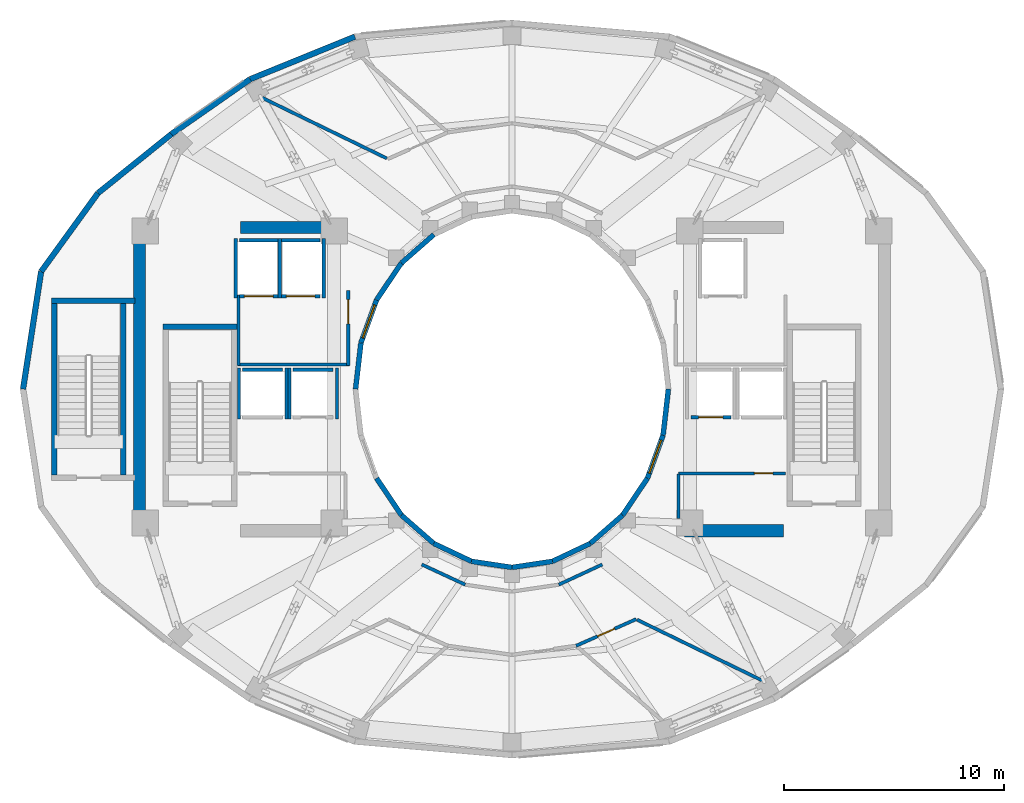
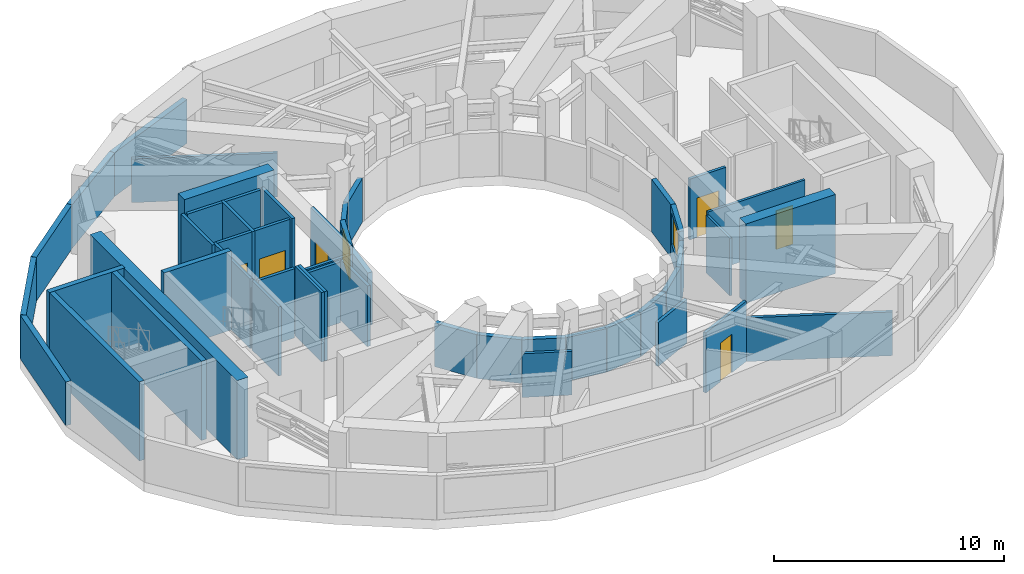
# One storey, part 4 of 10: 50 walls, 6 doors, 2 windows, 8 openings.
"""IFC4 building model written with IfcOpenShell, lengths in metres."""

from ifc_helpers import new_model, si_unit, direction, frame, frame_2d, origin, place, context, subcontext, project, spatial, rectangle, extrude, material, layer, layer_set, type_object, element, fill, save


model = new_model("IFC4")

# Units and contexts
model_context = context("Model", 3, precision=1e-05, world=origin(), true_north=direction((0.0, 1.0)))
body_context = subcontext(model_context, "Body", "Model", "MODEL_VIEW")
ifc_project = project(units=[si_unit("LENGTHUNIT", "METRE"), si_unit("AREAUNIT", "SQUARE_METRE"), si_unit("VOLUMEUNIT", "CUBIC_METRE"), si_unit("PLANEANGLEUNIT", "RADIAN"), si_unit("MASSUNIT", "GRAM", prefix="KILO")], contexts=[model_context])

# Site, building, storey
site_placement = place(None, origin())
site = spatial("IfcSite", under=ifc_project, at=site_placement, CompositionType="ELEMENT")
building_placement = place(site_placement, origin())
building = spatial("IfcBuilding", under=site, at=building_placement, Name="Solvane Sanctuary Tower", CompositionType="ELEMENT")
storey_placement = place(building_placement, frame((0.0, 0.0, 193.199951171875)))
storey = spatial("IfcBuildingStorey", under=building, at=storey_placement, Name="L59", CompositionType="ELEMENT", Elevation=193.199951171875)

# Walls
ifc_material_1 = material(Name="Concrete C50/60", Category="concrete")
ifc_layer_1 = layer(ifc_material_1, 0.550048828125, Name="Concrete C50/60")
ifc_layer_set_1 = layer_set([ifc_layer_1], Name="Concrete C50/60")
wall_type_1 = type_object("IfcWallType", Name="Wall W-CORE-550", PredefinedType="SHEAR", material=ifc_layer_set_1)
wall_1_placement = place(storey_placement, frame((15.050048828125, 17.050048828125, 0.0), z_axis=(0.0, 0.0, 1.0), x_axis=(0.0, 1.0, 0.0)))
element("IfcWall", 1, at=wall_1_placement, inside=storey, type_object=wall_type_1, Name="L59 Core Shear Wall WC-W", PredefinedType="SHEAR", context=body_context, shape_type="SweptSolid", body=[
    extrude(rectangle(XDim=12.800048828125, YDim=0.550048828125, at=frame_2d((6.39990234375, 0.0))), origin(), (0.0, 0.0, 1.0), 4.199951171875),
])
for number, where, z_axis, x_axis, name in (
    (2, (19.64990234375, 30.35009765625, 0.0), (0.0, 0.0, 1.0), (1.0, 0.0, 0.0), "L59 Core Shear Wall WC-N"),
    (3, (39.85009765625, 16.550048828125, 0.0), (0.0, 0.0, 1.0), (1.0, 0.0, 0.0), "L59 Core Shear Wall EC-S"),
):
    element("IfcWall", number, at=place(storey_placement, frame(where, z_axis=z_axis, x_axis=x_axis)), inside=storey, type_object=wall_type_1, Name=name, PredefinedType="SHEAR", context=body_context, shape_type="SweptSolid", body=[
        extrude(rectangle(XDim=4.5, YDim=0.550048828125, at=frame_2d((2.25, 0.0))), origin(), (0.0, 0.0, 1.0), 4.199951171875),
    ])
ifc_material_2 = material(Name="Acoustic Gypsum Partition Board")
ifc_layer_2 = layer(ifc_material_2, 0.14990234375, Name="Acoustic Gypsum Partition Board")
ifc_layer_set_2 = layer_set([ifc_layer_2], Name="Acoustic Gypsum Partition Board")
wall_type_2 = type_object("IfcWallType", Name="Wall W-CORR-150", PredefinedType="PARTITIONING", material=ifc_layer_set_2)
wall_2_placement = place(storey_placement, frame((19.52001953125, 24.1201171875, 0.0), z_axis=(0.0, 0.0, 1.0), x_axis=(1.0, 0.0, 0.0)))
element("IfcWall", 4, at=wall_2_placement, inside=storey, type_object=wall_type_2, Name="L59 West Firefighting Lobby South Wall", PredefinedType="PARTITIONING", context=body_context, shape_type="SweptSolid", body=[
    extrude(rectangle(XDim=5.080078125, YDim=0.14990234375, at=frame_2d((2.5400390625, 0.0))), origin(), (0.0, 0.0, 1.0), 3.219970703125),
])
wall_3_placement = place(storey_placement, frame((19.550048828125, 24.080078125, 0.0), z_axis=(0.0, 0.0, 1.0), x_axis=(0.0, 1.0, 0.0)))
element("IfcWall", 5, at=wall_3_placement, inside=storey, type_object=wall_type_2, Name="L59 West Firefighting Lobby West Wall", PredefinedType="PARTITIONING", context=body_context, shape_type="SweptSolid", body=[
    extrude(rectangle(XDim=3.199951171875, YDim=0.14990234375, at=frame_2d((1.60009765625, 0.0))), origin(), (0.0, 0.0, 1.0), 3.675048828125),
])

# Wall, opening, door
wall_4_placement = place(storey_placement, frame((24.550048828125, 24.080078125, 0.0), z_axis=(0.0, 0.0, 1.0), x_axis=(0.0, 1.0, 0.0)))
wall_4 = element("IfcWall", 6, at=wall_4_placement, inside=storey, type_object=wall_type_2, Name="L59 West Firefighting Lobby East Wall", PredefinedType="PARTITIONING", context=body_context, shape_type="SweptSolid", body=[
    extrude(rectangle(XDim=3.39990234375, YDim=0.14990234375, at=frame_2d((1.699951171875, 0.0))), origin(), (0.0, 0.0, 1.0), 3.675048828125),
])
opening_1_placement = place(wall_4_placement, frame((1.893798828125, 0.0, 0.0)))
opening_1 = element("IfcOpeningElement", 7, at=opening_1_placement, cuts=wall_4, Name="Opening D-L59-04", PredefinedType="OPENING", context=body_context, shape_type="SweptSolid", body=[
    extrude(rectangle(XDim=1.10009765625, YDim=2.10009765625, at=frame_2d((0.550048828125, 1.050048828125))), frame((0.0, 0.0849609375, 0.0), z_axis=(0.0, -1.0, 0.0), x_axis=(1.0, 0.0, 0.0)), (0.0, 0.0, 1.0), 0.169921875),
])
ifc_material_3 = material(Name="Architectural Stainless Steel 316", Category="steel")
door_type_1 = type_object("IfcDoorType", Name="Door D-FFL", OperationType="NOTDEFINED", PredefinedType="DOOR", material=ifc_material_3)
door_1_placement = place(opening_1_placement, origin())
door_1 = element("IfcDoor", 8, at=door_1_placement, inside=storey, type_object=door_type_1, Name="L59 West Firefighting Lobby Fire Door", OperationType="SINGLE_SWING_RIGHT", OverallHeight=2.10009765625, OverallWidth=1.10009765625, PredefinedType="DOOR", context=body_context, shape_type="SweptSolid", body=[
    extrude(rectangle(XDim=1.10009765625, YDim=2.10009765625, at=frame_2d((0.550048828125, 1.050048828125))), frame((0.0, 0.02490234375, 0.0), z_axis=(0.0, -1.0, 0.0), x_axis=(1.0, 0.0, 0.0)), (0.0, 0.0, 1.0), 0.050048828125),
])
fill(opening_1, door_1)

# Walls
for number, where, z_axis, x_axis, name in (
    (9, (27.889892578125, 15.01513671875, 0.0), (0.0, 0.0, 1.0), (0.906943449489, -0.421252393975, 0.0), "L59 Light-Well Corridor Rim Wall S1"),
    (10, (34.12744140625, 14.09423828125, 0.0), (0.0, 0.0, 1.0), (0.906943449489, 0.421252393975, 0.0), "L59 Light-Well Corridor Rim Wall S4"),
):
    element("IfcWall", number, at=place(storey_placement, frame(where, z_axis=z_axis, x_axis=x_axis)), inside=storey, type_object=wall_type_2, Name=name, PredefinedType="PARTITIONING", context=body_context, shape_type="SweptSolid", body=[
        extrude(rectangle(XDim=2.18603515625, YDim=0.14990234375, at=frame_2d((1.093017578125, 0.0))), origin(), (0.0, 0.0, 1.0), 2.320068359375),
    ])
for number, where, z_axis, x_axis, name in (
    (11, (26.300537109375, 33.5029296875, 0.0), (0.0, 0.0, 1.0), (-0.899365131214, 0.437198308273, 0.0), "L59 Mechanical Plant Radial Wall 120"),
    (12, (37.699462890625, 12.4970703125, 0.0), (0.0, 0.0, 1.0), (0.899365131214, -0.437198308273, 0.0), "L59 Mechanical Plant Radial Wall 300"),
):
    element("IfcWall", number, at=place(storey_placement, frame(where, z_axis=z_axis, x_axis=x_axis)), inside=storey, type_object=wall_type_2, Name=name, PredefinedType="PARTITIONING", context=body_context, shape_type="SweptSolid", body=[
        extrude(rectangle(XDim=6.365478515625, YDim=0.14990234375, at=frame_2d((3.1826171875, 0.0))), origin(), (0.0, 0.0, 1.0), 2.320068359375),
    ])

# Wall, opening, door
wall_5_placement = place(storey_placement, frame((34.9169921875, 11.31005859375, 0.0), z_axis=(0.0, 0.0, 1.0), x_axis=(0.914100192658, 0.405488394141, 0.0)))
wall_5 = element("IfcWall", 13, at=wall_5_placement, inside=storey, type_object=wall_type_2, Name="L59 Plant Corridor Wall 5", PredefinedType="PARTITIONING", context=body_context, shape_type="SweptSolid", body=[
    extrude(rectangle(XDim=2.997314453125, YDim=0.14990234375, at=frame_2d((1.49853515625, 0.0))), origin(), (0.0, 0.0, 1.0), 3.196044921875),
])
opening_2_placement = place(wall_5_placement, frame((1.073486328125, 0.0, 0.0)))
opening_2 = element("IfcOpeningElement", 14, at=opening_2_placement, cuts=wall_5, Name="Opening D-L59-12", PredefinedType="OPENING", context=body_context, shape_type="SweptSolid", body=[
    extrude(rectangle(XDim=0.85009765625, YDim=2.050048828125, at=frame_2d((0.425048828125, 1.02490234375))), frame((0.0, 0.0849609375, 0.0), z_axis=(0.0, -1.0, 0.0), x_axis=(1.0, 0.0, 0.0)), (0.0, 0.0, 1.0), 0.169921875),
])
door_type_2 = type_object("IfcDoorType", Name="Door D-RISER", OperationType="NOTDEFINED", PredefinedType="DOOR", material=ifc_material_3)
door_2_placement = place(opening_2_placement, origin())
door_2 = element("IfcDoor", 15, at=door_2_placement, inside=storey, type_object=door_type_2, Name="L59 Plant Room Door 5", OperationType="SINGLE_SWING_RIGHT", OverallHeight=2.050048828125, OverallWidth=0.85009765625, PredefinedType="DOOR", context=body_context, shape_type="SweptSolid", body=[
    extrude(rectangle(XDim=0.85009765625, YDim=2.050048828125, at=frame_2d((0.425048828125, 1.02490234375))), frame((0.0, 0.02490234375, 0.0), z_axis=(0.0, -1.0, 0.0), x_axis=(1.0, 0.0, 0.0)), (0.0, 0.0, 1.0), 0.050048828125),
])
fill(opening_2, door_2)

# Walls
ifc_material_4 = material(Name="Precast concrete C40/50", Category="concrete")
ifc_layer_3 = layer(ifc_material_4, 0.260009765625, Name="Precast concrete C40/50")
ifc_layer_set_3 = layer_set([ifc_layer_3], Name="Precast concrete C40/50")
wall_type_3 = type_object("IfcWallType", Name="Wall W-EXT-250", PredefinedType="STANDARD", material=ifc_layer_set_3)
wall_6_placement = place(storey_placement, frame((24.84619140625, 39.0439453125, 0.0), z_axis=(0.0, 0.0, 1.0), x_axis=(-0.926505317676, -0.376281671514, 0.0)))
element("IfcWall", 16, at=wall_6_placement, inside=storey, type_object=wall_type_3, Name="L59 Mechanical Plant Perimeter Wall 07", PredefinedType="STANDARD", context=body_context, shape_type="SweptSolid", body=[
    extrude(rectangle(XDim=5.149658203125, YDim=0.260009765625, at=frame_2d((2.57470703125, 0.0))), origin(), (0.0, 0.0, 1.0), 2.320068359375),
])
wall_7_placement = place(storey_placement, frame((20.074951171875, 37.106201171875, 0.0), z_axis=(0.0, 0.0, 1.0), x_axis=(-0.820288529478, -0.571949935228, 0.0)))
element("IfcWall", 17, at=wall_7_placement, inside=storey, type_object=wall_type_3, Name="L59 Mechanical Plant Perimeter Wall 08", PredefinedType="STANDARD", context=body_context, shape_type="SweptSolid", body=[
    extrude(rectangle(XDim=4.368896484375, YDim=0.260009765625, at=frame_2d((2.1845703125, 0.0))), origin(), (0.0, 0.0, 1.0), 2.320068359375),
])
wall_8_placement = place(storey_placement, frame((16.4912109375, 34.607421875, 0.0), z_axis=(0.0, 0.0, 1.0), x_axis=(-0.779582489695, -0.626299562319, 0.0)))
element("IfcWall", 18, at=wall_8_placement, inside=storey, type_object=wall_type_3, Name="L59 Mechanical Plant Perimeter Wall 09", PredefinedType="STANDARD", context=body_context, shape_type="SweptSolid", body=[
    extrude(rectangle(XDim=4.282958984375, YDim=0.260009765625, at=frame_2d((2.1416015625, 0.0))), origin(), (0.0, 0.0, 1.0), 2.320068359375),
])
wall_9_placement = place(storey_placement, frame((13.15234375, 31.925048828125, 0.0), z_axis=(0.0, 0.0, 1.0), x_axis=(-0.587019267557, -0.809572961207, 0.0)))
element("IfcWall", 19, at=wall_9_placement, inside=storey, type_object=wall_type_3, Name="L59 Mechanical Plant Perimeter Wall 10", PredefinedType="STANDARD", context=body_context, shape_type="SweptSolid", body=[
    extrude(rectangle(XDim=4.4111328125, YDim=0.260009765625, at=frame_2d((2.20556640625, 0.0))), origin(), (0.0, 0.0, 1.0), 2.320068359375),
])
wall_10_placement = place(storey_placement, frame((10.56298828125, 28.35400390625, 0.0), z_axis=(0.0, 0.0, 1.0), x_axis=(-0.151931872057, -0.988390968318, 0.0)))
element("IfcWall", 20, at=wall_10_placement, inside=storey, type_object=wall_type_3, Name="L59 Mechanical Plant Perimeter Wall 11", PredefinedType="STANDARD", context=body_context, shape_type="SweptSolid", body=[
    extrude(rectangle(XDim=5.4169921875, YDim=0.260009765625, at=frame_2d((2.70849609375, 0.0))), origin(), (0.0, 0.0, 1.0), 2.320068359375),
])
ifc_layer_4 = layer(ifc_material_4, 0.22998046875, Name="Precast concrete C40/50")
ifc_layer_set_4 = layer_set([ifc_layer_4], Name="Precast concrete C40/50")
wall_type_4 = type_object("IfcWallType", Name="Wall W-EXT-SP220", PredefinedType="STANDARD", material=ifc_layer_set_4)
wall_11_placement = place(storey_placement, frame((28.43994140625, 30.031982421875, 0.0), z_axis=(0.0, 0.0, 1.0), x_axis=(-0.752576694707, -0.658504607869, 0.0)))
element("IfcWall", 21, at=wall_11_placement, inside=storey, type_object=wall_type_4, Name="L59 Central Light-Well Wall 08", PredefinedType="STANDARD", context=body_context, shape_type="SweptSolid", body=[
    extrude(rectangle(XDim=1.95947265625, YDim=0.22998046875, at=frame_2d((0.979736328125, 0.0))), origin(), (0.0, 0.0, 1.0), 2.320068359375),
])
wall_12_placement = place(storey_placement, frame((26.96533203125, 28.74169921875, 0.0), z_axis=(0.0, 0.0, 1.0), x_axis=(-0.558197800898, -0.829707909492, 0.0)))
element("IfcWall", 22, at=wall_12_placement, inside=storey, type_object=wall_type_4, Name="L59 Central Light-Well Wall 09", PredefinedType="STANDARD", context=body_context, shape_type="SweptSolid", body=[
    extrude(rectangle(XDim=2.02685546875, YDim=0.22998046875, at=frame_2d((1.013427734375, 0.0))), origin(), (0.0, 0.0, 1.0), 2.320068359375),
])

# Wall, opening, window
wall_13_placement = place(storey_placement, frame((25.833984375, 27.06005859375, 0.0), z_axis=(0.0, 0.0, 1.0), x_axis=(-0.341423187295, -0.93990968033, 0.0)))
wall_13 = element("IfcWall", 23, at=wall_13_placement, inside=storey, type_object=wall_type_4, Name="L59 Central Light-Well Wall 10", PredefinedType="STANDARD", context=body_context, shape_type="SweptSolid", body=[
    extrude(rectangle(XDim=2.083740234375, YDim=0.22998046875, at=frame_2d((1.0419921875, 0.0))), origin(), (0.0, 0.0, 1.0), 2.800048828125),
])
opening_3_placement = place(wall_13_placement, frame((0.24169921875, 0.0, 0.85009765625)))
opening_3 = element("IfcOpeningElement", 24, at=opening_3_placement, cuts=wall_13, Name="Opening WN-WELL-1600", PredefinedType="OPENING", context=body_context, shape_type="SweptSolid", body=[
    extrude(rectangle(XDim=1.60009765625, YDim=1.64990234375, at=frame_2d((0.800048828125, 0.824951171875))), frame((0.0, 0.125, 0.0), z_axis=(0.0, -1.0, 0.0), x_axis=(1.0, 0.0, 0.0)), (0.0, 0.0, 1.0), 0.25),
])
ifc_material_5 = material(Name="Clear Laminated Light-Well Glass", Category="glass")
window_type = type_object("IfcWindowType", Name="Window WN-WELL-1600", PartitioningType="SINGLE_PANEL", PredefinedType="WINDOW", material=ifc_material_5)
window_1_placement = place(opening_3_placement, origin())
window_1 = element("IfcWindow", 25, at=window_1_placement, inside=storey, type_object=window_type, Name="L59 Light-Well Daylight Window 10", OverallHeight=1.64990234375, OverallWidth=1.60009765625, PartitioningType="SINGLE_PANEL", PredefinedType="WINDOW", context=body_context, shape_type="SweptSolid", body=[
    extrude(rectangle(XDim=1.60009765625, YDim=1.64990234375, at=frame_2d((0.800048828125, 0.824951171875))), frame((0.0, 0.030029296875, 0.0), z_axis=(0.0, -1.0, 0.0), x_axis=(1.0, 0.0, 0.0)), (0.0, 0.0, 1.0), 0.06005859375),
])
fill(opening_3, window_1)

# Walls
wall_14_placement = place(storey_placement, frame((25.12255859375, 25.1015625, 0.0), z_axis=(0.0, 0.0, 1.0), x_axis=(-0.114711713601, -0.993398823617, 0.0)))
element("IfcWall", 26, at=wall_14_placement, inside=storey, type_object=wall_type_4, Name="L59 Central Light-Well Wall 11", PredefinedType="STANDARD", context=body_context, shape_type="SweptSolid", body=[
    extrude(rectangle(XDim=2.115478515625, YDim=0.22998046875, at=frame_2d((1.0576171875, 0.0))), origin(), (0.0, 0.0, 1.0), 2.800048828125),
])
wall_15_placement = place(storey_placement, frame((25.833984375, 18.93994140625, 0.0), z_axis=(0.0, 0.0, 1.0), x_axis=(0.558197800898, -0.829707909492, 0.0)))
element("IfcWall", 27, at=wall_15_placement, inside=storey, type_object=wall_type_4, Name="L59 Central Light-Well Wall 14", PredefinedType="STANDARD", context=body_context, shape_type="SweptSolid", body=[
    extrude(rectangle(XDim=2.02685546875, YDim=0.22998046875, at=frame_2d((1.013427734375, 0.0))), origin(), (0.0, 0.0, 1.0), 2.320068359375),
])
wall_16_placement = place(storey_placement, frame((26.96533203125, 17.25830078125, 0.0), z_axis=(0.0, 0.0, 1.0), x_axis=(0.752576694707, -0.658504607869, 0.0)))
element("IfcWall", 28, at=wall_16_placement, inside=storey, type_object=wall_type_4, Name="L59 Central Light-Well Wall 15", PredefinedType="STANDARD", context=body_context, shape_type="SweptSolid", body=[
    extrude(rectangle(XDim=1.95947265625, YDim=0.22998046875, at=frame_2d((0.979736328125, 0.0))), origin(), (0.0, 0.0, 1.0), 2.320068359375),
])
wall_17_placement = place(storey_placement, frame((28.43994140625, 15.968017578125, 0.0), z_axis=(0.0, 0.0, 1.0), x_axis=(0.904179699603, -0.427152280606, 0.0)))
element("IfcWall", 29, at=wall_17_placement, inside=storey, type_object=wall_type_4, Name="L59 Central Light-Well Wall 16", PredefinedType="STANDARD", context=body_context, shape_type="SweptSolid", body=[
    extrude(rectangle(XDim=1.899169921875, YDim=0.22998046875, at=frame_2d((0.94970703125, 0.0))), origin(), (0.0, 0.0, 1.0), 2.320068359375),
])
for number, where, z_axis, x_axis, name in (
    (30, (30.1572265625, 15.15673828125, 0.0), (0.0, 0.0, 1.0), (0.988901730308, -0.148571086668, 0.0), "L59 Central Light-Well Wall 17"),
    (31, (32.0, 14.8798828125, 0.0), (0.0, 0.0, 1.0), (0.988901730308, 0.148571086668, 0.0), "L59 Central Light-Well Wall 18"),
):
    element("IfcWall", number, at=place(storey_placement, frame(where, z_axis=z_axis, x_axis=x_axis)), inside=storey, type_object=wall_type_4, Name=name, PredefinedType="STANDARD", context=body_context, shape_type="SweptSolid", body=[
        extrude(rectangle(XDim=1.863525390625, YDim=0.22998046875, at=frame_2d((0.931640625, 0.0))), origin(), (0.0, 0.0, 1.0), 2.320068359375),
    ])
wall_18_placement = place(storey_placement, frame((33.8427734375, 15.15673828125, 0.0), z_axis=(0.0, 0.0, 1.0), x_axis=(0.904179699603, 0.427152280606, 0.0)))
element("IfcWall", 32, at=wall_18_placement, inside=storey, type_object=wall_type_4, Name="L59 Central Light-Well Wall 19", PredefinedType="STANDARD", context=body_context, shape_type="SweptSolid", body=[
    extrude(rectangle(XDim=1.899169921875, YDim=0.22998046875, at=frame_2d((0.94970703125, 0.0))), origin(), (0.0, 0.0, 1.0), 2.320068359375),
])
wall_19_placement = place(storey_placement, frame((35.56005859375, 15.968017578125, 0.0), z_axis=(0.0, 0.0, 1.0), x_axis=(0.752576694707, 0.658504607869, 0.0)))
element("IfcWall", 33, at=wall_19_placement, inside=storey, type_object=wall_type_4, Name="L59 Central Light-Well Wall 20", PredefinedType="STANDARD", context=body_context, shape_type="SweptSolid", body=[
    extrude(rectangle(XDim=1.95947265625, YDim=0.22998046875, at=frame_2d((0.979736328125, 0.0))), origin(), (0.0, 0.0, 1.0), 2.320068359375),
])
wall_20_placement = place(storey_placement, frame((37.03466796875, 17.25830078125, 0.0), z_axis=(0.0, 0.0, 1.0), x_axis=(0.558197800898, 0.829707909492, 0.0)))
element("IfcWall", 34, at=wall_20_placement, inside=storey, type_object=wall_type_4, Name="L59 Central Light-Well Wall 21", PredefinedType="STANDARD", context=body_context, shape_type="SweptSolid", body=[
    extrude(rectangle(XDim=2.02685546875, YDim=0.22998046875, at=frame_2d((1.013427734375, 0.0))), origin(), (0.0, 0.0, 1.0), 2.320068359375),
])

# Wall, opening, window
wall_21_placement = place(storey_placement, frame((38.166015625, 18.93994140625, 0.0), z_axis=(0.0, 0.0, 1.0), x_axis=(0.341423187295, 0.93990968033, 0.0)))
wall_21 = element("IfcWall", 35, at=wall_21_placement, inside=storey, type_object=wall_type_4, Name="L59 Central Light-Well Wall 22", PredefinedType="STANDARD", context=body_context, shape_type="SweptSolid", body=[
    extrude(rectangle(XDim=2.083740234375, YDim=0.22998046875, at=frame_2d((1.0419921875, 0.0))), origin(), (0.0, 0.0, 1.0), 2.800048828125),
])
opening_4_placement = place(wall_21_placement, frame((0.24169921875, 0.0, 0.85009765625)))
opening_4 = element("IfcOpeningElement", 36, at=opening_4_placement, cuts=wall_21, Name="Opening WN-WELL-1600", PredefinedType="OPENING", context=body_context, shape_type="SweptSolid", body=[
    extrude(rectangle(XDim=1.60009765625, YDim=1.64990234375, at=frame_2d((0.800048828125, 0.824951171875))), frame((0.0, 0.125, 0.0), z_axis=(0.0, -1.0, 0.0), x_axis=(1.0, 0.0, 0.0)), (0.0, 0.0, 1.0), 0.25),
])
window_2_placement = place(opening_4_placement, origin())
window_2 = element("IfcWindow", 37, at=window_2_placement, inside=storey, type_object=window_type, Name="L59 Light-Well Daylight Window 22", OverallHeight=1.64990234375, OverallWidth=1.60009765625, PartitioningType="SINGLE_PANEL", PredefinedType="WINDOW", context=body_context, shape_type="SweptSolid", body=[
    extrude(rectangle(XDim=1.60009765625, YDim=1.64990234375, at=frame_2d((0.800048828125, 0.824951171875))), frame((0.0, 0.030029296875, 0.0), z_axis=(0.0, -1.0, 0.0), x_axis=(1.0, 0.0, 0.0)), (0.0, 0.0, 1.0), 0.06005859375),
])
fill(opening_4, window_2)

# Wall
wall_22_placement = place(storey_placement, frame((38.87744140625, 20.8984375, 0.0), z_axis=(0.0, 0.0, 1.0), x_axis=(0.114711713601, 0.993398823617, 0.0)))
element("IfcWall", 38, at=wall_22_placement, inside=storey, type_object=wall_type_4, Name="L59 Central Light-Well Wall 23", PredefinedType="STANDARD", context=body_context, shape_type="SweptSolid", body=[
    extrude(rectangle(XDim=2.115478515625, YDim=0.22998046875, at=frame_2d((1.0576171875, 0.0))), origin(), (0.0, 0.0, 1.0), 2.800048828125),
])

# Wall, opening, door
ifc_layer_5 = layer(ifc_material_2, 0.125, Name="Acoustic Gypsum Partition Board")
ifc_layer_set_5 = layer_set([ifc_layer_5], Name="Acoustic Gypsum Partition Board")
wall_type_5 = type_object("IfcWallType", Name="Wall W-PART-125", PredefinedType="PARTITIONING", material=ifc_layer_set_5)
wall_23_placement = place(storey_placement, frame((39.580078125, 19.159912109375, 0.0), z_axis=(0.0, 0.0, 1.0), x_axis=(1.0, 0.0, 0.0)))
wall_23 = element("IfcWall", 39, at=wall_23_placement, inside=storey, type_object=wall_type_5, Name="L59 Reclaimed Room Partition PLE", PredefinedType="PARTITIONING", context=body_context, shape_type="SweptSolid", body=[
    extrude(rectangle(XDim=4.869873046875, YDim=0.125, at=frame_2d((2.43505859375, 0.0))), origin(), (0.0, 0.0, 1.0), 3.219970703125),
])
opening_5_placement = place(wall_23_placement, frame((3.449951171875, 0.0, 0.0)))
opening_5 = element("IfcOpeningElement", 40, at=opening_5_placement, cuts=wall_23, Name="Opening D-L59-07", PredefinedType="OPENING", context=body_context, shape_type="SweptSolid", body=[
    extrude(rectangle(XDim=0.85009765625, YDim=2.050048828125, at=frame_2d((0.425048828125, 1.02490234375))), frame((0.0, 0.072509765625, 0.0), z_axis=(0.0, -1.0, 0.0), x_axis=(1.0, 0.0, 0.0)), (0.0, 0.0, 1.0), 0.14501953125),
])
door_3_placement = place(opening_5_placement, origin())
door_3 = element("IfcDoor", 41, at=door_3_placement, inside=storey, type_object=door_type_2, Name="L59 Reclaimed Room Door PLE-1", OperationType="SINGLE_SWING_LEFT", OverallHeight=2.050048828125, OverallWidth=0.85009765625, PredefinedType="DOOR", context=body_context, shape_type="SweptSolid", body=[
    extrude(rectangle(XDim=0.85009765625, YDim=2.050048828125, at=frame_2d((0.425048828125, 1.02490234375))), frame((0.0, 0.02490234375, 0.0), z_axis=(0.0, -1.0, 0.0), x_axis=(1.0, 0.0, 0.0)), (0.0, 0.0, 1.0), 0.050048828125),
])
fill(opening_5, door_3)

# Walls
wall_24_placement = place(storey_placement, frame((39.580078125, 17.10009765625, 0.0), z_axis=(0.0, 0.0, 1.0), x_axis=(0.0, 1.0, 0.0)))
element("IfcWall", 42, at=wall_24_placement, inside=storey, type_object=wall_type_5, Name="L59 Reclaimed Room Closer Wall PLE-1", PredefinedType="PARTITIONING", context=body_context, shape_type="SweptSolid", body=[
    extrude(rectangle(XDim=2.039794921875, YDim=0.125, at=frame_2d((1.02001953125, 0.0))), origin(), (0.0, 0.0, 1.0), 3.052001953125),
])
ifc_layer_6 = layer(ifc_material_1, 0.14990234375, Name="Concrete C50/60")
ifc_layer_set_6 = layer_set([ifc_layer_6], Name="Concrete C50/60")
wall_type_6 = type_object("IfcWallType", Name="Wall W-SHAFT-150", PredefinedType="SOLIDWALL", material=ifc_layer_set_6)
wall_25_placement = place(storey_placement, frame((19.739990234375, 23.8798828125, 0.0), z_axis=(0.0, 0.0, 1.0), x_axis=(1.0, 0.0, 0.0)))
element("IfcWall", 43, at=wall_25_placement, inside=storey, type_object=wall_type_6, Name="L59 PM-1 Lift Shaft Wall B", PredefinedType="SOLIDWALL", context=body_context, shape_type="SweptSolid", body=[
    extrude(rectangle(XDim=1.820068359375, YDim=0.14990234375, at=frame_2d((0.91015625, 0.0))), origin(), (0.0, 0.0, 1.0), 3.675048828125),
])
for number, where, z_axis, x_axis, name in (
    (44, (19.570068359375, 21.639892578125, 0.0), (0.0, 0.0, 1.0), (0.0, 1.0, 0.0), "L59 PM-1 Lift Shaft Wall S1"),
    (45, (21.72998046875, 21.639892578125, 0.0), (0.0, 0.0, 1.0), (0.0, 1.0, 0.0), "L59 PM-1 Lift Shaft Wall S2"),
):
    element("IfcWall", number, at=place(storey_placement, frame(where, z_axis=z_axis, x_axis=x_axis)), inside=storey, type_object=wall_type_6, Name=name, PredefinedType="SOLIDWALL", context=body_context, shape_type="SweptSolid", body=[
        extrude(rectangle(XDim=2.320068359375, YDim=0.14990234375, at=frame_2d((1.16015625, 0.0))), origin(), (0.0, 0.0, 1.0), 3.675048828125),
    ])
wall_26_placement = place(storey_placement, frame((22.0400390625, 23.8798828125, 0.0), z_axis=(0.0, 0.0, 1.0), x_axis=(1.0, 0.0, 0.0)))
element("IfcWall", 46, at=wall_26_placement, inside=storey, type_object=wall_type_6, Name="L59 PH-1 Lift Shaft Wall B", PredefinedType="SOLIDWALL", context=body_context, shape_type="SweptSolid", body=[
    extrude(rectangle(XDim=1.820068359375, YDim=0.14990234375, at=frame_2d((0.91015625, 0.0))), origin(), (0.0, 0.0, 1.0), 3.219970703125),
])
wall_27_placement = place(storey_placement, frame((21.8701171875, 21.639892578125, 0.0), z_axis=(0.0, 0.0, 1.0), x_axis=(0.0, 1.0, 0.0)))
element("IfcWall", 47, at=wall_27_placement, inside=storey, type_object=wall_type_6, Name="L59 PH-1 Lift Shaft Wall S1", PredefinedType="SOLIDWALL", context=body_context, shape_type="SweptSolid", body=[
    extrude(rectangle(XDim=2.320068359375, YDim=0.14990234375, at=frame_2d((1.16015625, 0.0))), origin(), (0.0, 0.0, 1.0), 3.675048828125),
])
wall_28_placement = place(storey_placement, frame((24.030029296875, 21.639892578125, 0.0), z_axis=(0.0, 0.0, 1.0), x_axis=(0.0, 1.0, 0.0)))
element("IfcWall", 48, at=wall_28_placement, inside=storey, type_object=wall_type_6, Name="L59 PH-1 Lift Shaft Wall S2", PredefinedType="SOLIDWALL", context=body_context, shape_type="SweptSolid", body=[
    extrude(rectangle(XDim=2.320068359375, YDim=0.14990234375, at=frame_2d((1.16015625, 0.0))), origin(), (0.0, 0.0, 1.0), 3.219970703125),
])

# Wall, opening, door
wall_29_placement = place(storey_placement, frame((40.139892578125, 21.719970703125, 0.0), z_axis=(0.0, 0.0, 1.0), x_axis=(1.0, 0.0, 0.0)))
wall_29 = element("IfcWall", 49, at=wall_29_placement, inside=storey, type_object=wall_type_6, Name="L59 PH-2 Lift Shaft Wall F", PredefinedType="SOLIDWALL", context=body_context, shape_type="SweptSolid", body=[
    extrude(rectangle(XDim=1.820068359375, YDim=0.14990234375, at=frame_2d((0.91015625, 0.0))), origin(), (0.0, 0.0, 1.0), 3.219970703125),
])
opening_6_placement = place(wall_29_placement, frame((0.360107421875, 0.0, 0.0)))
opening_6 = element("IfcOpeningElement", 50, at=opening_6_placement, cuts=wall_29, Name="Opening LD-L59-02", PredefinedType="OPENING", context=body_context, shape_type="SweptSolid", body=[
    extrude(rectangle(XDim=1.10009765625, YDim=2.10009765625, at=frame_2d((0.550048828125, 1.050048828125))), frame((0.0, 0.0849609375, 0.0), z_axis=(0.0, -1.0, 0.0), x_axis=(1.0, 0.0, 0.0)), (0.0, 0.0, 1.0), 0.169921875),
])
door_type_3 = type_object("IfcDoorType", Name="Door LD-PASS-1100", OperationType="NOTDEFINED", PredefinedType="DOOR", material=ifc_material_3)
door_4_placement = place(opening_6_placement, origin())
door_4 = element("IfcDoor", 51, at=door_4_placement, inside=storey, type_object=door_type_3, Name="L59 PH-2 Lift Landing Door", OperationType="DOUBLE_DOOR_SLIDING", OverallHeight=2.10009765625, OverallWidth=1.10009765625, PredefinedType="DOOR", context=body_context, shape_type="SweptSolid", body=[
    extrude(rectangle(XDim=1.10009765625, YDim=2.10009765625, at=frame_2d((0.550048828125, 1.050048828125))), frame((0.0, 0.02490234375, 0.0), z_axis=(0.0, -1.0, 0.0), x_axis=(1.0, 0.0, 0.0)), (0.0, 0.0, 1.0), 0.050048828125),
])
fill(opening_6, door_4)

wall_30_placement = place(storey_placement, frame((19.590087890625, 27.219970703125, 0.0), z_axis=(0.0, 0.0, 1.0), x_axis=(1.0, 0.0, 0.0)))
wall_30 = element("IfcWall", 52, at=wall_30_placement, inside=storey, type_object=wall_type_6, Name="L59 FFL-1 Lift Shaft Wall F", PredefinedType="SOLIDWALL", context=body_context, shape_type="SweptSolid", body=[
    extrude(rectangle(XDim=1.760009765625, YDim=0.14990234375, at=frame_2d((0.8798828125, 0.0))), origin(), (0.0, 0.0, 1.0), 3.675048828125),
])
opening_7_placement = place(wall_30_placement, frame((0.22998046875, 0.0, 0.0)))
opening_7 = element("IfcOpeningElement", 53, at=opening_7_placement, cuts=wall_30, Name="Opening LD-L59-03", PredefinedType="OPENING", context=body_context, shape_type="SweptSolid", body=[
    extrude(rectangle(XDim=1.300048828125, YDim=2.10009765625, at=frame_2d((0.64990234375, 1.050048828125))), frame((0.0, 0.0849609375, 0.0), z_axis=(0.0, -1.0, 0.0), x_axis=(1.0, 0.0, 0.0)), (0.0, 0.0, 1.0), 0.169921875),
])
door_type_4 = type_object("IfcDoorType", Name="Door LD-FFL-1300", OperationType="NOTDEFINED", PredefinedType="DOOR", material=ifc_material_3)
door_5_placement = place(opening_7_placement, origin())
door_5 = element("IfcDoor", 54, at=door_5_placement, inside=storey, type_object=door_type_4, Name="L59 FFL-1 Lift Landing Door", OperationType="DOUBLE_DOOR_SLIDING", OverallHeight=2.10009765625, OverallWidth=1.300048828125, PredefinedType="DOOR", context=body_context, shape_type="SweptSolid", body=[
    extrude(rectangle(XDim=1.300048828125, YDim=2.10009765625, at=frame_2d((0.64990234375, 1.050048828125))), frame((0.0, 0.02490234375, 0.0), z_axis=(0.0, -1.0, 0.0), x_axis=(1.0, 0.0, 0.0)), (0.0, 0.0, 1.0), 0.050048828125),
])
fill(opening_7, door_5)

# Walls
wall_31_placement = place(storey_placement, frame((19.590087890625, 29.780029296875, 0.0), z_axis=(0.0, 0.0, 1.0), x_axis=(1.0, 0.0, 0.0)))
element("IfcWall", 55, at=wall_31_placement, inside=storey, type_object=wall_type_6, Name="L59 FFL-1 Lift Shaft Wall B", PredefinedType="SOLIDWALL", context=body_context, shape_type="SweptSolid", body=[
    extrude(rectangle(XDim=1.760009765625, YDim=0.14990234375, at=frame_2d((0.8798828125, 0.0))), origin(), (0.0, 0.0, 1.0), 3.675048828125),
])
for number, where, z_axis, x_axis, name in (
    (56, (19.419921875, 27.139892578125, 0.0), (0.0, 0.0, 1.0), (0.0, 1.0, 0.0), "L59 FFL-1 Lift Shaft Wall S1"),
    (57, (21.425048828125, 27.139892578125, 0.0), (0.0, 0.0, 1.0), (0.0, 1.0, 0.0), "L59 FFL-1 Lift Shaft Wall S2"),
):
    element("IfcWall", number, at=place(storey_placement, frame(where, z_axis=z_axis, x_axis=x_axis)), inside=storey, type_object=wall_type_6, Name=name, PredefinedType="SOLIDWALL", context=body_context, shape_type="SweptSolid", body=[
        extrude(rectangle(XDim=2.72021484375, YDim=0.14990234375, at=frame_2d((1.360107421875, 0.0))), origin(), (0.0, 0.0, 1.0), 3.675048828125),
    ])

# Wall, opening, door
wall_32_placement = place(storey_placement, frame((21.5, 27.219970703125, 0.0), z_axis=(0.0, 0.0, 1.0), x_axis=(1.0, 0.0, 0.0)))
wall_32 = element("IfcWall", 58, at=wall_32_placement, inside=storey, type_object=wall_type_6, Name="L59 SVL-1 Lift Shaft Wall F", PredefinedType="SOLIDWALL", context=body_context, shape_type="SweptSolid", body=[
    extrude(rectangle(XDim=1.760009765625, YDim=0.14990234375, at=frame_2d((0.8798828125, 0.0))), origin(), (0.0, 0.0, 1.0), 3.675048828125),
])
opening_8_placement = place(wall_32_placement, frame((0.22998046875, 0.0, 0.0)))
opening_8 = element("IfcOpeningElement", 59, at=opening_8_placement, cuts=wall_32, Name="Opening LD-L59-04", PredefinedType="OPENING", context=body_context, shape_type="SweptSolid", body=[
    extrude(rectangle(XDim=1.300048828125, YDim=2.10009765625, at=frame_2d((0.64990234375, 1.050048828125))), frame((0.0, 0.0849609375, 0.0), z_axis=(0.0, -1.0, 0.0), x_axis=(1.0, 0.0, 0.0)), (0.0, 0.0, 1.0), 0.169921875),
])
door_6_placement = place(opening_8_placement, origin())
door_6 = element("IfcDoor", 60, at=door_6_placement, inside=storey, type_object=door_type_4, Name="L59 SVL-1 Lift Landing Door", OperationType="DOUBLE_DOOR_SLIDING", OverallHeight=2.10009765625, OverallWidth=1.300048828125, PredefinedType="DOOR", context=body_context, shape_type="SweptSolid", body=[
    extrude(rectangle(XDim=1.300048828125, YDim=2.10009765625, at=frame_2d((0.64990234375, 1.050048828125))), frame((0.0, 0.02490234375, 0.0), z_axis=(0.0, -1.0, 0.0), x_axis=(1.0, 0.0, 0.0)), (0.0, 0.0, 1.0), 0.050048828125),
])
fill(opening_8, door_6)

# Walls
wall_33_placement = place(storey_placement, frame((21.5, 29.780029296875, 0.0), z_axis=(0.0, 0.0, 1.0), x_axis=(1.0, 0.0, 0.0)))
element("IfcWall", 61, at=wall_33_placement, inside=storey, type_object=wall_type_6, Name="L59 SVL-1 Lift Shaft Wall B", PredefinedType="SOLIDWALL", context=body_context, shape_type="SweptSolid", body=[
    extrude(rectangle(XDim=1.760009765625, YDim=0.14990234375, at=frame_2d((0.8798828125, 0.0))), origin(), (0.0, 0.0, 1.0), 3.675048828125),
])
wall_34_placement = place(storey_placement, frame((23.429931640625, 27.139892578125, 0.0), z_axis=(0.0, 0.0, 1.0), x_axis=(0.0, 1.0, 0.0)))
element("IfcWall", 62, at=wall_34_placement, inside=storey, type_object=wall_type_6, Name="L59 SVL-1 Lift Shaft Wall S2", PredefinedType="SOLIDWALL", context=body_context, shape_type="SweptSolid", body=[
    extrude(rectangle(XDim=2.72021484375, YDim=0.14990234375, at=frame_2d((1.360107421875, 0.0))), origin(), (0.0, 0.0, 1.0), 3.675048828125),
])
ifc_layer_7 = layer(ifc_material_1, 0.25, Name="Concrete C50/60")
ifc_layer_set_7 = layer_set([ifc_layer_7], Name="Concrete C50/60")
wall_type_7 = type_object("IfcWallType", Name="Wall W-SHAFT-250", PredefinedType="SOLIDWALL", material=ifc_layer_set_7)
wall_35_placement = place(storey_placement, frame((16.10498046875, 25.830078125, 0.0), z_axis=(0.0, 0.0, 1.0), x_axis=(1.0, 0.0, 0.0)))
element("IfcWall", 63, at=wall_35_placement, inside=storey, type_object=wall_type_7, Name="L59 ST-1 Load-Bearing Shaft Wall N", PredefinedType="SOLIDWALL", context=body_context, shape_type="SweptSolid", body=[
    extrude(rectangle(XDim=3.3701171875, YDim=0.25, at=frame_2d((1.68505859375, 0.0))), origin(), (0.0, 0.0, 1.0), 4.199951171875),
])
wall_36_placement = place(storey_placement, frame((11.044921875, 27.030029296875, 0.0), z_axis=(0.0, 0.0, 1.0), x_axis=(1.0, 0.0, 0.0)))
element("IfcWall", 64, at=wall_36_placement, inside=storey, type_object=wall_type_7, Name="L59 ST-3 Load-Bearing Shaft Wall N", PredefinedType="SOLIDWALL", context=body_context, shape_type="SweptSolid", body=[
    extrude(rectangle(XDim=3.781982421875, YDim=0.25, at=frame_2d((1.89111328125, 0.0))), origin(), (0.0, 0.0, 1.0), 4.199951171875),
])
for number, where, z_axis, x_axis, name in (
    (65, (11.169921875, 19.094970703125, 0.0), (0.0, 0.0, 1.0), (0.0, 1.0, 0.0), "L59 ST-3 Load-Bearing Shaft Wall W"),
    (66, (14.2900390625, 19.094970703125, 0.0), (0.0, 0.0, 1.0), (0.0, 1.0, 0.0), "L59 ST-3 Load-Bearing Shaft Wall E"),
):
    element("IfcWall", number, at=place(storey_placement, frame(where, z_axis=z_axis, x_axis=x_axis)), inside=storey, type_object=wall_type_7, Name=name, PredefinedType="SOLIDWALL", context=body_context, shape_type="SweptSolid", body=[
        extrude(rectangle(XDim=7.81005859375, YDim=0.25, at=frame_2d((3.905029296875, 0.0))), origin(), (0.0, 0.0, 1.0), 4.199951171875),
    ])

save(model, "model.ifc")
